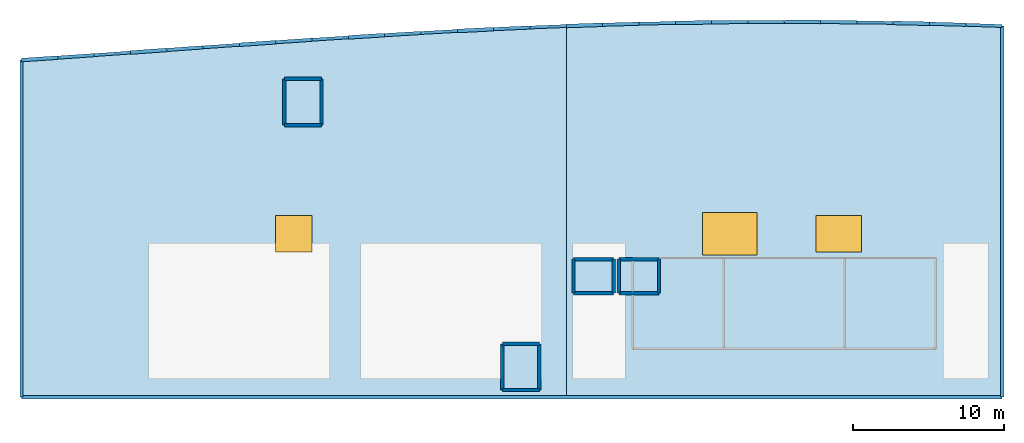
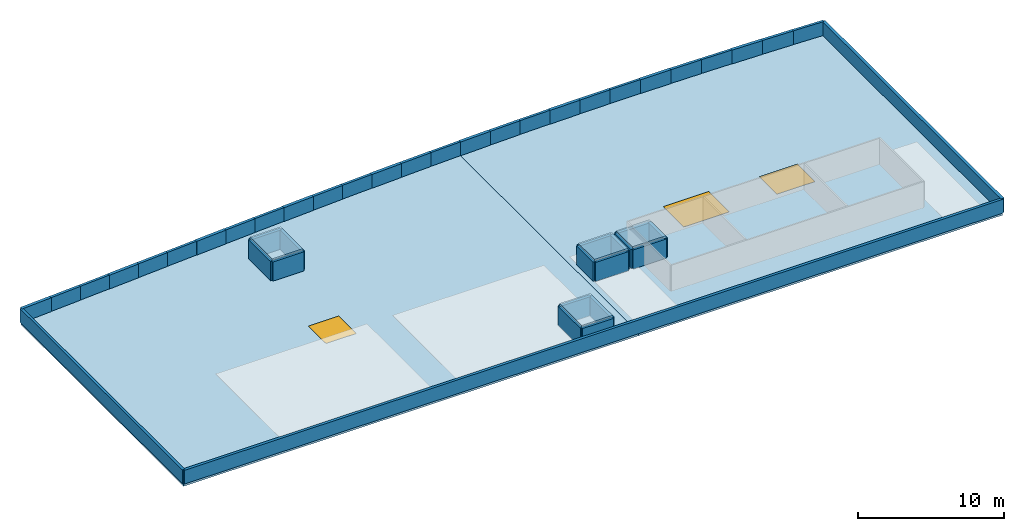
"""IFC4 building model written with IfcOpenShell, lengths in metres."""

from ifc_helpers import new_model, si_unit, direction, frame, frame_2d, origin, origin_2d, place, context, subcontext, project, spatial, polyline, rectangle, outline, extrude, material, layer, layer_set, type_object, element, fill, save


model = new_model("IFC4")

# Units and contexts
model_context = context("Model", 3, precision=1e-05, world=origin(), true_north=direction((0.0, 1.0)))
body_context = subcontext(model_context, "Body", "Model", "MODEL_VIEW")
ifc_project = project(units=[si_unit("LENGTHUNIT", "METRE"), si_unit("AREAUNIT", "SQUARE_METRE"), si_unit("VOLUMEUNIT", "CUBIC_METRE"), si_unit("PLANEANGLEUNIT", "RADIAN"), si_unit("MASSUNIT", "GRAM", prefix="KILO")], contexts=[model_context])

# Site, building, storey
site_placement = place(None, origin())
site = spatial("IfcSite", under=ifc_project, at=site_placement, CompositionType="ELEMENT")
building_placement = place(site_placement, origin())
building = spatial("IfcBuilding", under=site, at=building_placement, Name="Carrowvane Square Congress Hotel", CompositionType="ELEMENT")
storey_1_placement = place(building_placement, frame((0.0, 0.0, 48.60009765625)))
storey_1 = spatial("IfcBuildingStorey", under=building, at=storey_1_placement, Name="RF", CompositionType="ELEMENT", Elevation=48.60009765625)

# Slabs
ifc_material_1 = material(Name="Concrete C35/45", Category="concrete")
ifc_layer_1 = layer(ifc_material_1, 0.199951171875)
ifc_layer_set_1 = layer_set([ifc_layer_1], Name="Concrete C35/45")
slab_type_1 = type_object("IfcSlabType", Name="SLB-ROOF-200", PredefinedType="ROOF", material=ifc_layer_set_1)
slab_1_placement = place(storey_1_placement, frame((0.0, 0.0, 1.599853515625)))
element("IfcSlab", 1, at=slab_1_placement, inside=storey_1, type_object=slab_type_1, Name="RF FFL-1 lift overrun cap slab", PredefinedType="ROOF", context=body_context, shape_type="SweptSolid", body=[
    extrude(outline(polyline([(64.97509765625, 109.77490234375), (67.425048828125, 109.77490234375), (67.425048828125, 112.824951171875), (64.97509765625, 112.824951171875), (64.97509765625, 109.77490234375)])), origin(), (0.0, 0.0, 1.0), 0.199951171875),
])
slab_2_placement = place(storey_1_placement, frame((0.0, 0.0, 1.599853515625)))
element("IfcSlab", 2, at=slab_2_placement, inside=storey_1, type_object=slab_type_1, Name="RF FFL-2 lift overrun cap slab", PredefinedType="ROOF", context=body_context, shape_type="SweptSolid", body=[
    extrude(outline(polyline([(79.375, 92.27490234375), (81.824951171875, 92.27490234375), (81.824951171875, 95.324951171875), (79.375, 95.324951171875), (79.375, 92.27490234375)])), origin(), (0.0, 0.0, 1.0), 0.199951171875),
])
slab_3_placement = place(storey_1_placement, frame((0.0, 0.0, 1.599853515625)))
element("IfcSlab", 3, at=slab_3_placement, inside=storey_1, type_object=slab_type_1, Name="RF HL-1 lift overrun cap slab", PredefinedType="ROOF", context=body_context, shape_type="SweptSolid", body=[
    extrude(outline(polyline([(84.074951171875, 98.675048828125), (86.72509765625, 98.675048828125), (86.72509765625, 100.925048828125), (84.074951171875, 100.925048828125), (84.074951171875, 98.675048828125)])), origin(), (0.0, 0.0, 1.0), 0.199951171875),
])
slab_4_placement = place(storey_1_placement, frame((0.0, 0.0, 1.599853515625)))
element("IfcSlab", 4, at=slab_4_placement, inside=storey_1, type_object=slab_type_1, Name="RF HL-2 lift overrun cap slab", PredefinedType="ROOF", context=body_context, shape_type="SweptSolid", body=[
    extrude(outline(polyline([(87.074951171875, 98.675048828125), (89.72509765625, 98.675048828125), (89.72509765625, 100.925048828125), (87.074951171875, 100.925048828125), (87.074951171875, 98.675048828125)])), origin(), (0.0, 0.0, 1.0), 0.199951171875),
])

# Slab, opening
ifc_material_2 = material(Name="Concrete C35/45", Category="concrete")
ifc_layer_2 = layer(ifc_material_2, 0.25)
ifc_layer_set_2 = layer_set([ifc_layer_2], Name="Concrete C35/45")
slab_type_2 = type_object("IfcSlabType", Name="SLB-ROOF-250", PredefinedType="ROOF", material=ifc_layer_set_2)
slab_5_placement = place(storey_1_placement, frame((0.0, 0.0, -0.25)))
slab_5 = element("IfcSlab", 5, at=slab_5_placement, inside=storey_1, type_object=slab_type_2, Name="RF Hotel Wing west-central crown roof slab", PredefinedType="ROOF", context=body_context, shape_type="SweptSolid", body=[
    extrude(outline(polyline([(47.60009765625, 91.800048828125), (83.60009765625, 91.800048828125), (83.60009765625, 116.323974609375), (81.199951171875, 116.2275390625), (78.800048828125, 116.118408203125), (76.39990234375, 115.99755859375), (74.0, 115.86572265625), (71.60009765625, 115.724365234375), (69.199951171875, 115.57421875), (66.800048828125, 115.4169921875), (64.39990234375, 115.253662109375), (62.0, 115.0859375), (59.60009765625, 114.915283203125), (57.199951171875, 114.7431640625), (54.800048828125, 114.5712890625), (52.39990234375, 114.4013671875), (50.0, 114.235595703125), (47.60009765625, 114.075439453125), (47.60009765625, 91.800048828125)])), origin(), (0.0, 0.0, 1.0), 0.25),
])
opening_1_placement = place(slab_5_placement, frame((65.60009765625, 102.60009765625, 0.0)))
opening_1 = element("IfcOpeningElement", 6, at=opening_1_placement, cuts=slab_5, Name="Opening SK-01", PredefinedType="OPENING", context=body_context, shape_type="SweptSolid", body=[
    extrude(rectangle(XDim=2.39990234375, YDim=2.39990234375, at=origin_2d()), origin(), (0.0, 0.0, 1.0), 0.25),
])

# Storey
storey_2_placement = place(building_placement, frame((0.0, 0.0, 44.39990234375)))
storey_2 = spatial("IfcBuildingStorey", under=building, at=storey_2_placement, Name="L11", CompositionType="ELEMENT", Elevation=44.39990234375)

# Window
ifc_material_3 = material(Name="Double-glazed low-E glass", Category="glass")
window_type_1 = type_object("IfcWindowType", Name="SKY-01", PartitioningType="SINGLE_PANEL", PredefinedType="SKYLIGHT", material=ifc_material_3)
window_1_placement = place(opening_1_placement, frame((0.0, 0.0, 0.199951171875)))
window_1 = element("IfcWindow", 7, at=window_1_placement, inside=storey_2, type_object=window_type_1, Name="L11 roof skylight 6", OverallHeight=2.39990234375, OverallWidth=2.39990234375, PartitioningType="SINGLE_PANEL", PredefinedType="SKYLIGHT", context=body_context, shape_type="SweptSolid", body=[
    extrude(rectangle(XDim=2.39990234375, YDim=2.39990234375, at=origin_2d()), origin(), (0.0, 0.0, 1.0), 0.050048828125),
])

fill(opening_1, window_1)

# Slab, openings, windows
slab_6_placement = place(storey_1_placement, frame((0.0, 0.0, -0.25)))
slab_6 = element("IfcSlab", 8, at=slab_6_placement, inside=storey_1, type_object=slab_type_2, Name="RF Hotel Wing east-central crown roof slab", PredefinedType="ROOF", context=body_context, shape_type="SweptSolid", body=[
    extrude(outline(polyline([(83.60009765625, 91.800048828125), (112.39990234375, 91.800048828125), (112.39990234375, 116.323974609375), (110.0, 116.406982421875), (107.60009765625, 116.4755859375), (105.199951171875, 116.52978515625), (102.800048828125, 116.568603515625), (100.39990234375, 116.592041015625), (98.0, 116.60009765625), (95.60009765625, 116.592041015625), (93.199951171875, 116.568603515625), (90.800048828125, 116.52978515625), (88.39990234375, 116.4755859375), (86.0, 116.406982421875), (83.60009765625, 116.323974609375), (83.60009765625, 91.800048828125)])), origin(), (0.0, 0.0, 1.0), 0.25),
])
opening_2_placement = place(slab_6_placement, frame((94.39990234375, 102.60009765625, 0.0)))
opening_2 = element("IfcOpeningElement", 9, at=opening_2_placement, cuts=slab_6, Name="Opening SK-03", PredefinedType="OPENING", context=body_context, shape_type="SweptSolid", body=[
    extrude(rectangle(XDim=3.60009765625, YDim=2.800048828125, at=origin_2d()), origin(), (0.0, 0.0, 1.0), 0.25),
])
opening_3_placement = place(slab_6_placement, frame((101.60009765625, 102.60009765625, 0.0)))
opening_3 = element("IfcOpeningElement", 10, at=opening_3_placement, cuts=slab_6, Name="Opening SK-02", PredefinedType="OPENING", context=body_context, shape_type="SweptSolid", body=[
    extrude(rectangle(XDim=3.0, YDim=2.39990234375, at=origin_2d()), origin(), (0.0, 0.0, 1.0), 0.25),
])
ifc_material_4 = material(Name="Double-glazed low-E glass", Category="glass")
window_type_2 = type_object("IfcWindowType", Name="SKY-02", PartitioningType="SINGLE_PANEL", PredefinedType="SKYLIGHT", material=ifc_material_4)
window_2_placement = place(opening_3_placement, frame((0.0, 0.0, 0.199951171875)))
window_2 = element("IfcWindow", 11, at=window_2_placement, inside=storey_2, type_object=window_type_2, Name="L11 roof skylight 8", OverallHeight=2.39990234375, OverallWidth=3.0, PartitioningType="SINGLE_PANEL", PredefinedType="SKYLIGHT", context=body_context, shape_type="SweptSolid", body=[
    extrude(rectangle(XDim=3.0, YDim=2.39990234375, at=origin_2d()), origin(), (0.0, 0.0, 1.0), 0.050048828125),
])
fill(opening_3, window_2)
ifc_material_5 = material(Name="Double-glazed low-E glass", Category="glass")
window_type_3 = type_object("IfcWindowType", Name="SKY-03", PartitioningType="SINGLE_PANEL", PredefinedType="SKYLIGHT", material=ifc_material_5)
window_3_placement = place(opening_2_placement, frame((0.0, 0.0, 0.199951171875)))
window_3 = element("IfcWindow", 12, at=window_3_placement, inside=storey_2, type_object=window_type_3, Name="L11 roof skylight 7", OverallHeight=2.800048828125, OverallWidth=3.60009765625, PartitioningType="SINGLE_PANEL", PredefinedType="SKYLIGHT", context=body_context, shape_type="SweptSolid", body=[
    extrude(rectangle(XDim=3.60009765625, YDim=2.800048828125, at=origin_2d()), origin(), (0.0, 0.0, 1.0), 0.050048828125),
])
fill(opening_2, window_3)

# Walls
ifc_material_6 = material(Name="Standing-seam zinc cladding", Category="metal")
ifc_layer_3 = layer(ifc_material_6, 0.195068359375)
ifc_layer_set_3 = layer_set([ifc_layer_3], Name="Standing-seam zinc cladding")
wall_type_1 = type_object("IfcWallType", Name="WL-PAR-195", PredefinedType="PARAPET", material=ifc_layer_set_3)
wall_1_placement = place(storey_1_placement, frame((52.39990234375, 114.4013671875, 0.0), z_axis=(0.0, 0.0, 1.0), x_axis=(0.997503312013, 0.070619703505, 0.0)))
element("IfcWall", 13, at=wall_1_placement, inside=storey_1, type_object=wall_type_1, Name="RF perimeter parapet 3", PredefinedType="PARAPET", context=body_context, shape_type="SweptSolid", body=[
    extrude(rectangle(XDim=2.40625, YDim=0.195068359375, at=frame_2d((1.203125, 0.0))), origin(), (0.0, 0.0, 1.0), 1.14990234375),
])
wall_2_placement = place(storey_1_placement, frame((59.60009765625, 114.915283203125, 0.0), z_axis=(0.0, 0.0, 1.0), x_axis=(0.997481313423, 0.070929749551, 0.0)))
element("IfcWall", 14, at=wall_2_placement, inside=storey_1, type_object=wall_type_1, Name="RF perimeter parapet 6", PredefinedType="PARAPET", context=body_context, shape_type="SweptSolid", body=[
    extrude(rectangle(XDim=2.406005859375, YDim=0.195068359375, at=frame_2d((1.203125, 0.0))), origin(), (0.0, 0.0, 1.0), 1.14990234375),
])
wall_3_placement = place(storey_1_placement, frame((66.800048828125, 115.4169921875, 0.0), z_axis=(0.0, 0.0, 1.0), x_axis=(0.99786085888, 0.065373590348, 0.0)))
element("IfcWall", 15, at=wall_3_placement, inside=storey_1, type_object=wall_type_1, Name="RF perimeter parapet 9", PredefinedType="PARAPET", context=body_context, shape_type="SweptSolid", body=[
    extrude(rectangle(XDim=2.405029296875, YDim=0.195068359375, at=frame_2d((1.20263671875, 0.0))), origin(), (0.0, 0.0, 1.0), 1.14990234375),
])
wall_4_placement = place(storey_1_placement, frame((74.0, 115.86572265625, 0.0), z_axis=(0.0, 0.0, 1.0), x_axis=(0.998494541086, 0.054851175197, 0.0)))
element("IfcWall", 16, at=wall_4_placement, inside=storey_1, type_object=wall_type_1, Name="RF perimeter parapet 12", PredefinedType="PARAPET", context=body_context, shape_type="SweptSolid", body=[
    extrude(rectangle(XDim=2.403564453125, YDim=0.195068359375, at=frame_2d((1.20166015625, 0.0))), origin(), (0.0, 0.0, 1.0), 1.14990234375),
])
wall_5_placement = place(storey_1_placement, frame((81.199951171875, 116.2275390625, 0.0), z_axis=(0.0, 0.0, 1.0), x_axis=(0.999193798943, 0.040146633159, 0.0)))
element("IfcWall", 17, at=wall_5_placement, inside=storey_1, type_object=wall_type_1, Name="RF perimeter parapet 15", PredefinedType="PARAPET", context=body_context, shape_type="SweptSolid", body=[
    extrude(rectangle(XDim=2.402099609375, YDim=0.195068359375, at=frame_2d((1.201171875, 0.0))), origin(), (0.0, 0.0, 1.0), 1.14990234375),
])
wall_6_placement = place(storey_1_placement, frame((88.39990234375, 116.4755859375, 0.0), z_axis=(0.0, 0.0, 1.0), x_axis=(0.999745132473, 0.022575874215, 0.0)))
element("IfcWall", 18, at=wall_6_placement, inside=storey_1, type_object=wall_type_1, Name="RF perimeter parapet 18", PredefinedType="PARAPET", context=body_context, shape_type="SweptSolid", body=[
    extrude(rectangle(XDim=2.40087890625, YDim=0.195068359375, at=frame_2d((1.200439453125, 0.0))), origin(), (0.0, 0.0, 1.0), 1.14990234375),
])
wall_7_placement = place(storey_1_placement, frame((95.60009765625, 116.592041015625, 0.0), z_axis=(0.0, 0.0, 1.0), x_axis=(0.999994365087, 0.003357051276, 0.0)))
element("IfcWall", 19, at=wall_7_placement, inside=storey_1, type_object=wall_type_1, Name="RF perimeter parapet 21", PredefinedType="PARAPET", context=body_context, shape_type="SweptSolid", body=[
    extrude(rectangle(XDim=2.39990234375, YDim=0.195068359375, at=frame_2d((1.199951171875, 0.0))), origin(), (0.0, 0.0, 1.0), 1.14990234375),
])
wall_8_placement = place(storey_1_placement, frame((102.800048828125, 116.568603515625, 0.0), z_axis=(0.0, 0.0, 1.0), x_axis=(0.999869210762, -0.016172859055, 0.0)))
element("IfcWall", 20, at=wall_8_placement, inside=storey_1, type_object=wall_type_1, Name="RF perimeter parapet 24", PredefinedType="PARAPET", context=body_context, shape_type="SweptSolid", body=[
    extrude(rectangle(XDim=2.400146484375, YDim=0.195068359375, at=frame_2d((1.2001953125, 0.0))), origin(), (0.0, 0.0, 1.0), 1.14990234375),
])
wall_9_placement = place(storey_1_placement, frame((110.0, 116.406982421875, 0.0), z_axis=(0.0, 0.0, 1.0), x_axis=(0.999402371436, -0.034567325156, 0.0)))
element("IfcWall", 21, at=wall_9_placement, inside=storey_1, type_object=wall_type_1, Name="RF perimeter parapet 27", PredefinedType="PARAPET", context=body_context, shape_type="SweptSolid", body=[
    extrude(rectangle(XDim=2.4013671875, YDim=0.195068359375, at=frame_2d((1.20068359375, 0.0))), origin(), (0.0, 0.0, 1.0), 1.14990234375),
])
wall_10_placement = place(storey_1_placement, frame((47.60009765625, 91.800048828125, 0.0), z_axis=(0.0, 0.0, 1.0), x_axis=(0.0, 1.0, 0.0)))
element("IfcWall", 22, at=wall_10_placement, inside=storey_1, type_object=wall_type_1, Name="RF perimeter parapet 30", PredefinedType="PARAPET", context=body_context, shape_type="SweptSolid", body=[
    extrude(rectangle(XDim=22.275390625, YDim=0.195068359375, at=frame_2d((11.1376953125, 0.0))), origin(), (0.0, 0.0, 1.0), 1.14990234375),
])
ifc_material_7 = material(Name="Glazed terracotta rainscreen", Category="masonry")
ifc_layer_4 = layer(ifc_material_7, 0.215087890625)
ifc_layer_set_4 = layer_set([ifc_layer_4], Name="Glazed terracotta rainscreen")
wall_type_2 = type_object("IfcWallType", Name="WL-PAR-215", PredefinedType="PARAPET", material=ifc_layer_set_4)
wall_11_placement = place(storey_1_placement, frame((50.0, 114.235595703125, 0.0), z_axis=(0.0, 0.0, 1.0), x_axis=(0.997622876154, 0.068910064385, 0.0)))
element("IfcWall", 23, at=wall_11_placement, inside=storey_1, type_object=wall_type_2, Name="RF perimeter parapet 2", PredefinedType="PARAPET", context=body_context, shape_type="SweptSolid", body=[
    extrude(rectangle(XDim=2.405517578125, YDim=0.215087890625, at=frame_2d((1.20263671875, 0.0))), origin(), (0.0, 0.0, 1.0), 1.14990234375),
])
wall_12_placement = place(storey_1_placement, frame((57.199951171875, 114.7431640625, 0.0), z_axis=(0.0, 0.0, 1.0), x_axis=(0.997438574499, 0.071528246874, 0.0)))
element("IfcWall", 24, at=wall_12_placement, inside=storey_1, type_object=wall_type_2, Name="RF perimeter parapet 5", PredefinedType="PARAPET", context=body_context, shape_type="SweptSolid", body=[
    extrude(rectangle(XDim=2.40625, YDim=0.215087890625, at=frame_2d((1.203125, 0.0))), origin(), (0.0, 0.0, 1.0), 1.14990234375),
])
wall_13_placement = place(storey_1_placement, frame((64.39990234375, 115.253662109375, 0.0), z_axis=(0.0, 0.0, 1.0), x_axis=(0.997692606374, 0.067893027532, 0.0)))
element("IfcWall", 25, at=wall_13_placement, inside=storey_1, type_object=wall_type_2, Name="RF perimeter parapet 8", PredefinedType="PARAPET", context=body_context, shape_type="SweptSolid", body=[
    extrude(rectangle(XDim=2.40576171875, YDim=0.215087890625, at=frame_2d((1.202880859375, 0.0))), origin(), (0.0, 0.0, 1.0), 1.14990234375),
])
wall_14_placement = place(storey_1_placement, frame((71.60009765625, 115.724365234375, 0.0), z_axis=(0.0, 0.0, 1.0), x_axis=(0.998269817782, 0.058799412461, 0.0)))
element("IfcWall", 26, at=wall_14_placement, inside=storey_1, type_object=wall_type_2, Name="RF perimeter parapet 11", PredefinedType="PARAPET", context=body_context, shape_type="SweptSolid", body=[
    extrude(rectangle(XDim=2.404052734375, YDim=0.215087890625, at=frame_2d((1.2021484375, 0.0))), origin(), (0.0, 0.0, 1.0), 1.14990234375),
])
wall_15_placement = place(storey_1_placement, frame((78.800048828125, 116.118408203125, 0.0), z_axis=(0.0, 0.0, 1.0), x_axis=(0.998967701901, 0.045426099975, 0.0)))
element("IfcWall", 27, at=wall_15_placement, inside=storey_1, type_object=wall_type_2, Name="RF perimeter parapet 14", PredefinedType="PARAPET", context=body_context, shape_type="SweptSolid", body=[
    extrude(rectangle(XDim=2.40234375, YDim=0.215087890625, at=frame_2d((1.201171875, 0.0))), origin(), (0.0, 0.0, 1.0), 1.14990234375),
])
wall_16_placement = place(storey_1_placement, frame((86.0, 116.406982421875, 0.0), z_axis=(0.0, 0.0, 1.0), x_axis=(0.999591671641, 0.028574288884, 0.0)))
element("IfcWall", 28, at=wall_16_placement, inside=storey_1, type_object=wall_type_2, Name="RF perimeter parapet 17", PredefinedType="PARAPET", context=body_context, shape_type="SweptSolid", body=[
    extrude(rectangle(XDim=2.40087890625, YDim=0.215087890625, at=frame_2d((1.200439453125, 0.0))), origin(), (0.0, 0.0, 1.0), 1.14990234375),
])
for number, where, z_axis, x_axis, name in (
    (29, (93.199951171875, 116.568603515625, 0.0), (0.0, 0.0, 1.0), (0.999952325514, 0.009764563447, 0.0), "RF perimeter parapet 20"),
    (30, (100.39990234375, 116.592041015625, 0.0), (0.0, 0.0, 1.0), (0.999952325514, -0.009764563447, 0.0), "RF perimeter parapet 23"),
):
    element("IfcWall", number, at=place(storey_1_placement, frame(where, z_axis=z_axis, x_axis=x_axis)), inside=storey_1, type_object=wall_type_2, Name=name, PredefinedType="PARAPET", context=body_context, shape_type="SweptSolid", body=[
        extrude(rectangle(XDim=2.400146484375, YDim=0.215087890625, at=frame_2d((1.2001953125, 0.0))), origin(), (0.0, 0.0, 1.0), 1.14990234375),
    ])
wall_17_placement = place(storey_1_placement, frame((107.60009765625, 116.4755859375, 0.0), z_axis=(0.0, 0.0, 1.0), x_axis=(0.999591671641, -0.028574288884, 0.0)))
element("IfcWall", 31, at=wall_17_placement, inside=storey_1, type_object=wall_type_2, Name="RF perimeter parapet 26", PredefinedType="PARAPET", context=body_context, shape_type="SweptSolid", body=[
    extrude(rectangle(XDim=2.40087890625, YDim=0.215087890625, at=frame_2d((1.200439453125, 0.0))), origin(), (0.0, 0.0, 1.0), 1.14990234375),
])
wall_18_placement = place(storey_1_placement, frame((112.39990234375, 91.800048828125, 0.0), z_axis=(0.0, 0.0, 1.0), x_axis=(-1.0, 0.0, 0.0)))
element("IfcWall", 32, at=wall_18_placement, inside=storey_1, type_object=wall_type_2, Name="RF perimeter parapet 29", PredefinedType="PARAPET", context=body_context, shape_type="SweptSolid", body=[
    extrude(rectangle(XDim=64.7998046875, YDim=0.215087890625, at=frame_2d((32.39990234375, 0.0))), origin(), (0.0, 0.0, 1.0), 1.14990234375),
])
ifc_material_8 = material(Name="Portland limestone cladding", Category="masonry")
ifc_layer_5 = layer(ifc_material_8, 0.239990234375)
ifc_layer_set_5 = layer_set([ifc_layer_5], Name="Portland limestone cladding")
wall_type_3 = type_object("IfcWallType", Name="WL-PAR-240", PredefinedType="PARAPET", material=ifc_layer_set_5)
wall_19_placement = place(storey_1_placement, frame((47.60009765625, 114.075439453125, 0.0), z_axis=(0.0, 0.0, 1.0), x_axis=(0.997780664271, 0.066586380037, 0.0)))
element("IfcWall", 33, at=wall_19_placement, inside=storey_1, type_object=wall_type_3, Name="RF perimeter parapet 1", PredefinedType="PARAPET", context=body_context, shape_type="SweptSolid", body=[
    extrude(rectangle(XDim=2.4052734375, YDim=0.239990234375, at=frame_2d((1.20263671875, 0.0))), origin(), (0.0, 0.0, 1.0), 1.14990234375),
])
wall_20_placement = place(storey_1_placement, frame((54.800048828125, 114.5712890625, 0.0), z_axis=(0.0, 0.0, 1.0), x_axis=(0.997445290295, 0.071434535541, 0.0)))
element("IfcWall", 34, at=wall_20_placement, inside=storey_1, type_object=wall_type_3, Name="RF perimeter parapet 4", PredefinedType="PARAPET", context=body_context, shape_type="SweptSolid", body=[
    extrude(rectangle(XDim=2.406005859375, YDim=0.239990234375, at=frame_2d((1.203125, 0.0))), origin(), (0.0, 0.0, 1.0), 1.14990234375),
])
wall_21_placement = place(storey_1_placement, frame((62.0, 115.0859375, 0.0), z_axis=(0.0, 0.0, 1.0), x_axis=(0.997566736958, 0.069718041535, 0.0)))
element("IfcWall", 35, at=wall_21_placement, inside=storey_1, type_object=wall_type_3, Name="RF perimeter parapet 7", PredefinedType="PARAPET", context=body_context, shape_type="SweptSolid", body=[
    extrude(rectangle(XDim=2.40576171875, YDim=0.239990234375, at=frame_2d((1.202880859375, 0.0))), origin(), (0.0, 0.0, 1.0), 1.14990234375),
])
wall_22_placement = place(storey_1_placement, frame((69.199951171875, 115.57421875, 0.0), z_axis=(0.0, 0.0, 1.0), x_axis=(0.998049021666, 0.062435169192, 0.0)))
element("IfcWall", 36, at=wall_22_placement, inside=storey_1, type_object=wall_type_3, Name="RF perimeter parapet 10", PredefinedType="PARAPET", context=body_context, shape_type="SweptSolid", body=[
    extrude(rectangle(XDim=2.40478515625, YDim=0.239990234375, at=frame_2d((1.202392578125, 0.0))), origin(), (0.0, 0.0, 1.0), 1.14990234375),
])
wall_23_placement = place(storey_1_placement, frame((76.39990234375, 115.99755859375, 0.0), z_axis=(0.0, 0.0, 1.0), x_axis=(0.998734797052, 0.050287226583, 0.0)))
element("IfcWall", 37, at=wall_23_placement, inside=storey_1, type_object=wall_type_3, Name="RF perimeter parapet 13", PredefinedType="PARAPET", context=body_context, shape_type="SweptSolid", body=[
    extrude(rectangle(XDim=2.403076171875, YDim=0.239990234375, at=frame_2d((1.20166015625, 0.0))), origin(), (0.0, 0.0, 1.0), 1.14990234375),
])
wall_24_placement = place(storey_1_placement, frame((83.60009765625, 116.323974609375, 0.0), z_axis=(0.0, 0.0, 1.0), x_axis=(0.999402371436, 0.034567325156, 0.0)))
element("IfcWall", 38, at=wall_24_placement, inside=storey_1, type_object=wall_type_3, Name="RF perimeter parapet 16", PredefinedType="PARAPET", context=body_context, shape_type="SweptSolid", body=[
    extrude(rectangle(XDim=2.4013671875, YDim=0.239990234375, at=frame_2d((1.20068359375, 0.0))), origin(), (0.0, 0.0, 1.0), 1.14990234375),
])
wall_25_placement = place(storey_1_placement, frame((90.800048828125, 116.52978515625, 0.0), z_axis=(0.0, 0.0, 1.0), x_axis=(0.999869210762, 0.016172859055, 0.0)))
element("IfcWall", 39, at=wall_25_placement, inside=storey_1, type_object=wall_type_3, Name="RF perimeter parapet 19", PredefinedType="PARAPET", context=body_context, shape_type="SweptSolid", body=[
    extrude(rectangle(XDim=2.400146484375, YDim=0.239990234375, at=frame_2d((1.2001953125, 0.0))), origin(), (0.0, 0.0, 1.0), 1.14990234375),
])
wall_26_placement = place(storey_1_placement, frame((98.0, 116.60009765625, 0.0), z_axis=(0.0, 0.0, 1.0), x_axis=(0.999994365087, -0.003357051276, 0.0)))
element("IfcWall", 40, at=wall_26_placement, inside=storey_1, type_object=wall_type_3, Name="RF perimeter parapet 22", PredefinedType="PARAPET", context=body_context, shape_type="SweptSolid", body=[
    extrude(rectangle(XDim=2.39990234375, YDim=0.239990234375, at=frame_2d((1.199951171875, 0.0))), origin(), (0.0, 0.0, 1.0), 1.14990234375),
])
wall_27_placement = place(storey_1_placement, frame((105.199951171875, 116.52978515625, 0.0), z_axis=(0.0, 0.0, 1.0), x_axis=(0.999745132473, -0.022575874215, 0.0)))
element("IfcWall", 41, at=wall_27_placement, inside=storey_1, type_object=wall_type_3, Name="RF perimeter parapet 25", PredefinedType="PARAPET", context=body_context, shape_type="SweptSolid", body=[
    extrude(rectangle(XDim=2.40087890625, YDim=0.239990234375, at=frame_2d((1.200439453125, 0.0))), origin(), (0.0, 0.0, 1.0), 1.14990234375),
])
wall_28_placement = place(storey_1_placement, frame((112.39990234375, 116.323974609375, 0.0), z_axis=(0.0, 0.0, 1.0), x_axis=(0.0, -1.0, 0.0)))
element("IfcWall", 42, at=wall_28_placement, inside=storey_1, type_object=wall_type_3, Name="RF perimeter parapet 28", PredefinedType="PARAPET", context=body_context, shape_type="SweptSolid", body=[
    extrude(rectangle(XDim=24.52392578125, YDim=0.239990234375, at=frame_2d((12.261962890625, 0.0))), origin(), (0.0, 0.0, 1.0), 1.14990234375),
])
ifc_material_9 = material(Name="Concrete C40/50", Category="concrete")
ifc_layer_6 = layer(ifc_material_9, 0.22509765625)
ifc_layer_set_6 = layer_set([ifc_layer_6], Name="Concrete C40/50")
wall_type_4 = type_object("IfcWallType", Name="WL-SHR-225", PredefinedType="SHEAR", material=ifc_layer_set_6)
wall_29_placement = place(storey_1_placement, frame((64.97509765625, 109.77490234375, 0.0), z_axis=(0.0, 0.0, 1.0), x_axis=(1.0, 0.0, 0.0)))
element("IfcWall", 43, at=wall_29_placement, inside=storey_1, type_object=wall_type_4, Name="RF FFL-1 lift overrun wall south", PredefinedType="SHEAR", context=body_context, shape_type="SweptSolid", body=[
    extrude(rectangle(XDim=2.449951171875, YDim=0.22509765625, at=frame_2d((1.22509765625, 0.0))), origin(), (0.0, 0.0, 1.0), 1.599853515625),
])
wall_30_placement = place(storey_1_placement, frame((67.425048828125, 109.77490234375, 0.0), z_axis=(0.0, 0.0, 1.0), x_axis=(0.0, 1.0, 0.0)))
element("IfcWall", 44, at=wall_30_placement, inside=storey_1, type_object=wall_type_4, Name="RF FFL-1 lift overrun wall east", PredefinedType="SHEAR", context=body_context, shape_type="SweptSolid", body=[
    extrude(rectangle(XDim=3.050048828125, YDim=0.22509765625, at=frame_2d((1.52490234375, 0.0))), origin(), (0.0, 0.0, 1.0), 1.599853515625),
])
wall_31_placement = place(storey_1_placement, frame((67.425048828125, 112.824951171875, 0.0), z_axis=(0.0, 0.0, 1.0), x_axis=(-1.0, 0.0, 0.0)))
element("IfcWall", 45, at=wall_31_placement, inside=storey_1, type_object=wall_type_4, Name="RF FFL-1 lift overrun wall north", PredefinedType="SHEAR", context=body_context, shape_type="SweptSolid", body=[
    extrude(rectangle(XDim=2.449951171875, YDim=0.22509765625, at=frame_2d((1.22509765625, 0.0))), origin(), (0.0, 0.0, 1.0), 1.599853515625),
])
wall_32_placement = place(storey_1_placement, frame((64.97509765625, 112.824951171875, 0.0), z_axis=(0.0, 0.0, 1.0), x_axis=(0.0, -1.0, 0.0)))
element("IfcWall", 46, at=wall_32_placement, inside=storey_1, type_object=wall_type_4, Name="RF FFL-1 lift overrun wall west", PredefinedType="SHEAR", context=body_context, shape_type="SweptSolid", body=[
    extrude(rectangle(XDim=3.050048828125, YDim=0.22509765625, at=frame_2d((1.52490234375, 0.0))), origin(), (0.0, 0.0, 1.0), 1.599853515625),
])
wall_33_placement = place(storey_1_placement, frame((79.375, 92.27490234375, 0.0), z_axis=(0.0, 0.0, 1.0), x_axis=(1.0, 0.0, 0.0)))
element("IfcWall", 47, at=wall_33_placement, inside=storey_1, type_object=wall_type_4, Name="RF FFL-2 lift overrun wall south", PredefinedType="SHEAR", context=body_context, shape_type="SweptSolid", body=[
    extrude(rectangle(XDim=2.449951171875, YDim=0.22509765625, at=frame_2d((1.22509765625, 0.0))), origin(), (0.0, 0.0, 1.0), 1.599853515625),
])
wall_34_placement = place(storey_1_placement, frame((81.824951171875, 92.27490234375, 0.0), z_axis=(0.0, 0.0, 1.0), x_axis=(0.0, 1.0, 0.0)))
element("IfcWall", 48, at=wall_34_placement, inside=storey_1, type_object=wall_type_4, Name="RF FFL-2 lift overrun wall east", PredefinedType="SHEAR", context=body_context, shape_type="SweptSolid", body=[
    extrude(rectangle(XDim=3.050048828125, YDim=0.22509765625, at=frame_2d((1.52490234375, 0.0))), origin(), (0.0, 0.0, 1.0), 1.599853515625),
])
wall_35_placement = place(storey_1_placement, frame((81.824951171875, 95.324951171875, 0.0), z_axis=(0.0, 0.0, 1.0), x_axis=(-1.0, 0.0, 0.0)))
element("IfcWall", 49, at=wall_35_placement, inside=storey_1, type_object=wall_type_4, Name="RF FFL-2 lift overrun wall north", PredefinedType="SHEAR", context=body_context, shape_type="SweptSolid", body=[
    extrude(rectangle(XDim=2.449951171875, YDim=0.22509765625, at=frame_2d((1.22509765625, 0.0))), origin(), (0.0, 0.0, 1.0), 1.599853515625),
])
wall_36_placement = place(storey_1_placement, frame((79.375, 95.324951171875, 0.0), z_axis=(0.0, 0.0, 1.0), x_axis=(0.0, -1.0, 0.0)))
element("IfcWall", 50, at=wall_36_placement, inside=storey_1, type_object=wall_type_4, Name="RF FFL-2 lift overrun wall west", PredefinedType="SHEAR", context=body_context, shape_type="SweptSolid", body=[
    extrude(rectangle(XDim=3.050048828125, YDim=0.22509765625, at=frame_2d((1.52490234375, 0.0))), origin(), (0.0, 0.0, 1.0), 1.599853515625),
])
wall_37_placement = place(storey_1_placement, frame((84.074951171875, 98.675048828125, 0.0), z_axis=(0.0, 0.0, 1.0), x_axis=(1.0, 0.0, 0.0)))
element("IfcWall", 51, at=wall_37_placement, inside=storey_1, type_object=wall_type_4, Name="RF HL-1 lift overrun wall south", PredefinedType="SHEAR", context=body_context, shape_type="SweptSolid", body=[
    extrude(rectangle(XDim=2.650146484375, YDim=0.22509765625, at=frame_2d((1.3251953125, 0.0))), origin(), (0.0, 0.0, 1.0), 1.599853515625),
])
wall_38_placement = place(storey_1_placement, frame((86.72509765625, 98.675048828125, 0.0), z_axis=(0.0, 0.0, 1.0), x_axis=(0.0, 1.0, 0.0)))
element("IfcWall", 52, at=wall_38_placement, inside=storey_1, type_object=wall_type_4, Name="RF HL-1 lift overrun wall east", PredefinedType="SHEAR", context=body_context, shape_type="SweptSolid", body=[
    extrude(rectangle(XDim=2.25, YDim=0.22509765625, at=frame_2d((1.125, 0.0))), origin(), (0.0, 0.0, 1.0), 1.599853515625),
])
wall_39_placement = place(storey_1_placement, frame((86.72509765625, 100.925048828125, 0.0), z_axis=(0.0, 0.0, 1.0), x_axis=(-1.0, 0.0, 0.0)))
element("IfcWall", 53, at=wall_39_placement, inside=storey_1, type_object=wall_type_4, Name="RF HL-1 lift overrun wall north", PredefinedType="SHEAR", context=body_context, shape_type="SweptSolid", body=[
    extrude(rectangle(XDim=2.650146484375, YDim=0.22509765625, at=frame_2d((1.3251953125, 0.0))), origin(), (0.0, 0.0, 1.0), 1.599853515625),
])
wall_40_placement = place(storey_1_placement, frame((84.074951171875, 100.925048828125, 0.0), z_axis=(0.0, 0.0, 1.0), x_axis=(0.0, -1.0, 0.0)))
element("IfcWall", 54, at=wall_40_placement, inside=storey_1, type_object=wall_type_4, Name="RF HL-1 lift overrun wall west", PredefinedType="SHEAR", context=body_context, shape_type="SweptSolid", body=[
    extrude(rectangle(XDim=2.25, YDim=0.22509765625, at=frame_2d((1.125, 0.0))), origin(), (0.0, 0.0, 1.0), 1.599853515625),
])
wall_41_placement = place(storey_1_placement, frame((87.074951171875, 98.675048828125, 0.0), z_axis=(0.0, 0.0, 1.0), x_axis=(1.0, 0.0, 0.0)))
element("IfcWall", 55, at=wall_41_placement, inside=storey_1, type_object=wall_type_4, Name="RF HL-2 lift overrun wall south", PredefinedType="SHEAR", context=body_context, shape_type="SweptSolid", body=[
    extrude(rectangle(XDim=2.650146484375, YDim=0.22509765625, at=frame_2d((1.3251953125, 0.0))), origin(), (0.0, 0.0, 1.0), 1.599853515625),
])
wall_42_placement = place(storey_1_placement, frame((89.72509765625, 98.675048828125, 0.0), z_axis=(0.0, 0.0, 1.0), x_axis=(0.0, 1.0, 0.0)))
element("IfcWall", 56, at=wall_42_placement, inside=storey_1, type_object=wall_type_4, Name="RF HL-2 lift overrun wall east", PredefinedType="SHEAR", context=body_context, shape_type="SweptSolid", body=[
    extrude(rectangle(XDim=2.25, YDim=0.22509765625, at=frame_2d((1.125, 0.0))), origin(), (0.0, 0.0, 1.0), 1.599853515625),
])
wall_43_placement = place(storey_1_placement, frame((89.72509765625, 100.925048828125, 0.0), z_axis=(0.0, 0.0, 1.0), x_axis=(-1.0, 0.0, 0.0)))
element("IfcWall", 57, at=wall_43_placement, inside=storey_1, type_object=wall_type_4, Name="RF HL-2 lift overrun wall north", PredefinedType="SHEAR", context=body_context, shape_type="SweptSolid", body=[
    extrude(rectangle(XDim=2.650146484375, YDim=0.22509765625, at=frame_2d((1.3251953125, 0.0))), origin(), (0.0, 0.0, 1.0), 1.599853515625),
])
wall_44_placement = place(storey_1_placement, frame((87.074951171875, 100.925048828125, 0.0), z_axis=(0.0, 0.0, 1.0), x_axis=(0.0, -1.0, 0.0)))
element("IfcWall", 58, at=wall_44_placement, inside=storey_1, type_object=wall_type_4, Name="RF HL-2 lift overrun wall west", PredefinedType="SHEAR", context=body_context, shape_type="SweptSolid", body=[
    extrude(rectangle(XDim=2.25, YDim=0.22509765625, at=frame_2d((1.125, 0.0))), origin(), (0.0, 0.0, 1.0), 1.599853515625),
])

save(model, "model.ifc")
